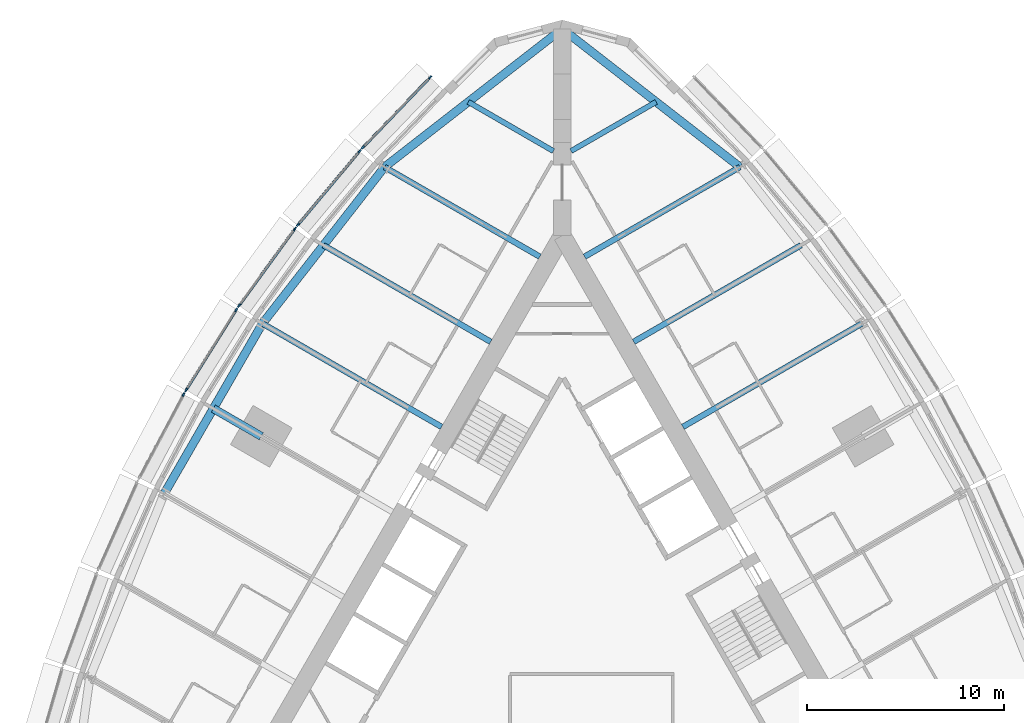
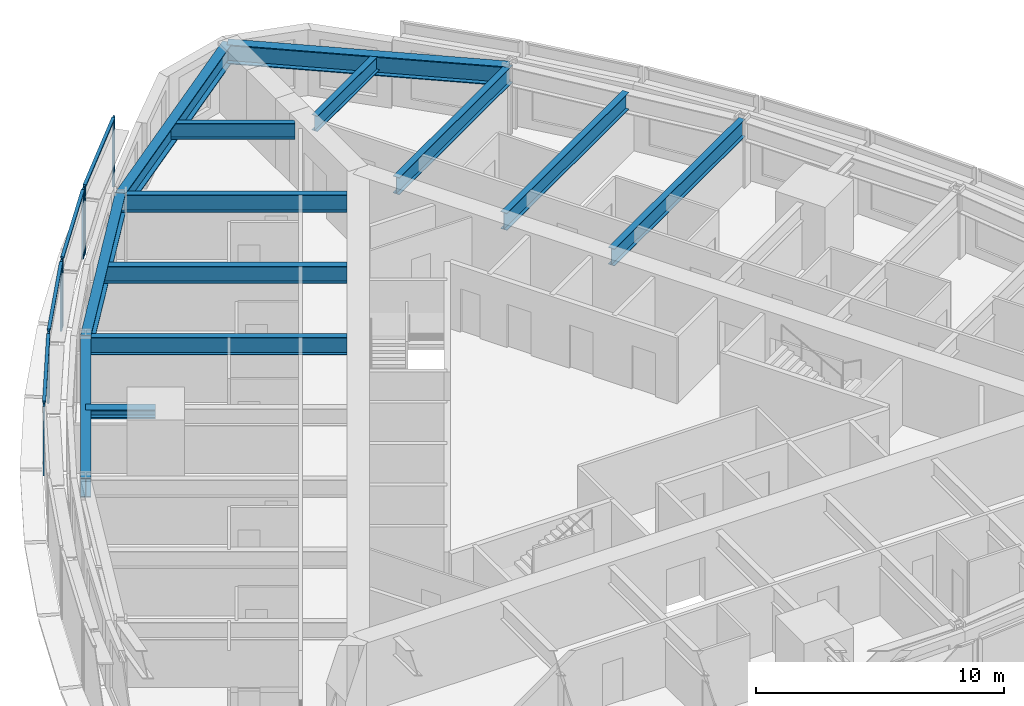
# One storey, part 4 of 14: 13 beams, 13 members, 5 elements without a shape of their own.
"""IFC4 building model written with IfcOpenShell, lengths in metres."""

from ifc_helpers import new_model, si_unit, direction, frame, origin, origin_2d, place, context, subcontext, project, spatial, rectangle, i_section, extrude, material, material_profile, profile_set, type_object, element, aggregate, save


model = new_model("IFC4")

# Units and contexts
model_context = context("Model", 3, precision=1e-05, world=origin(), true_north=direction((0.0, 1.0)))
body_context = subcontext(model_context, "Body", "Model", "MODEL_VIEW")
ifc_project = project(units=[si_unit("LENGTHUNIT", "METRE"), si_unit("AREAUNIT", "SQUARE_METRE"), si_unit("VOLUMEUNIT", "CUBIC_METRE"), si_unit("PLANEANGLEUNIT", "RADIAN"), si_unit("MASSUNIT", "GRAM", prefix="KILO")], contexts=[model_context])

# Site, building, storey
site_placement = place(None, origin())
site = spatial("IfcSite", under=ifc_project, at=site_placement, CompositionType="ELEMENT")
building_placement = place(site_placement, origin())
building = spatial("IfcBuilding", under=site, at=building_placement, Name="Trikona Tower", CompositionType="ELEMENT")
storey_placement = place(building_placement, frame((0.0, 0.0, 138.5)))
storey = spatial("IfcBuildingStorey", under=building, at=storey_placement, Name="L36", CompositionType="ELEMENT", Elevation=138.5)

# Curtain wall, members
ifc_material_1 = material(Name="Aluminium curtain wall system", Category="aluminium")
curtain_wall_type = type_object("IfcCurtainWallType", Name="Curtain wall DS2", PredefinedType="NOTDEFINED", material=ifc_material_1)
curtain_wall_1_placement = place(storey_placement, origin())
curtain_wall_1 = element("IfcCurtainWall", 1, at=curtain_wall_1_placement, inside=storey, type_object=curtain_wall_type, Name="Curtain wall DS2 L36", PredefinedType="NOTDEFINED")
ifc_material_2 = material(Name="Aluminium mullion, pale anodised", Category="aluminium")
ifc_material_profile_1 = material_profile(ifc_material_2, rectangle(XDim=0.080078125, YDim=0.199951171875, at=origin_2d()), Name="MUL-DS2")
ifc_profile_set_1 = profile_set([ifc_material_profile_1], Name="Aluminium mullion, pale anodised")
member_type_1 = type_object("IfcMemberType", Name="Mullion DS2 80x200", PredefinedType="MULLION", material=ifc_profile_set_1)
member_1_placement = place(storey_placement, frame((-6.718994140625, 27.1083984375, 0.0), z_axis=(0.0, 0.0, 1.0), x_axis=(0.722158330767, -0.691727797117, 0.0)))
member_1 = element("IfcMember", 2, at=member_1_placement, type_object=member_type_1, Name="CW-DS2 mullion 1", PredefinedType="MULLION", context=body_context, shape_type="SweptSolid", body=[
    extrude(rectangle(XDim=0.080078125, YDim=0.199951171875, at=origin_2d()), origin(), (0.0, 0.0, 1.0), 3.39990234375),
])
member_2_placement = place(storey_placement, frame((-10.1416015625, 23.535400390625, 0.0), z_axis=(0.0, 0.0, 1.0), x_axis=(0.722158330767, -0.691727797117, 0.0)))
member_2 = element("IfcMember", 3, at=member_2_placement, type_object=member_type_1, Name="CW-DS2 mullion 2", PredefinedType="MULLION", context=body_context, shape_type="SweptSolid", body=[
    extrude(rectangle(XDim=0.080078125, YDim=0.199951171875, at=origin_2d()), origin(), (0.0, 0.0, 1.0), 3.39990234375),
])

curtain_wall_2_placement = place(storey_placement, origin())
curtain_wall_2 = element("IfcCurtainWall", 4, at=curtain_wall_2_placement, inside=storey, type_object=curtain_wall_type, Name="Curtain wall DS2 L36", PredefinedType="NOTDEFINED")
member_3_placement = place(storey_placement, frame((-10.315185546875, 23.34130859375, 0.0), z_axis=(0.0, 0.0, 1.0), x_axis=(0.766866678271, -0.641806433248, 0.0)))
member_3 = element("IfcMember", 5, at=member_3_placement, type_object=member_type_1, Name="CW-DS2 mullion 1", PredefinedType="MULLION", context=body_context, shape_type="SweptSolid", body=[
    extrude(rectangle(XDim=0.080078125, YDim=0.199951171875, at=origin_2d()), origin(), (0.0, 0.0, 1.0), 3.39990234375),
])
member_4_placement = place(storey_placement, frame((-13.44482421875, 19.602294921875, 0.0), z_axis=(0.0, 0.0, 1.0), x_axis=(0.766866678271, -0.641806433248, 0.0)))
member_4 = element("IfcMember", 6, at=member_4_placement, type_object=member_type_1, Name="CW-DS2 mullion 2", PredefinedType="MULLION", context=body_context, shape_type="SweptSolid", body=[
    extrude(rectangle(XDim=0.080078125, YDim=0.199951171875, at=origin_2d()), origin(), (0.0, 0.0, 1.0), 3.39990234375),
])

curtain_wall_3_placement = place(storey_placement, origin())
curtain_wall_3 = element("IfcCurtainWall", 7, at=curtain_wall_3_placement, inside=storey, type_object=curtain_wall_type, Name="Curtain wall DS2 L36", PredefinedType="NOTDEFINED")
member_5_placement = place(storey_placement, frame((-13.605712890625, 19.39599609375, 0.0), z_axis=(0.0, 0.0, 1.0), x_axis=(0.80908576332, -0.587690588313, 0.0)))
member_5 = element("IfcMember", 8, at=member_5_placement, type_object=member_type_1, Name="CW-DS2 mullion 1", PredefinedType="MULLION", context=body_context, shape_type="SweptSolid", body=[
    extrude(rectangle(XDim=0.080078125, YDim=0.199951171875, at=origin_2d()), origin(), (0.0, 0.0, 1.0), 3.39990234375),
])
member_6_placement = place(storey_placement, frame((-16.442626953125, 15.489990234375, 0.0), z_axis=(0.0, 0.0, 1.0), x_axis=(0.80908576332, -0.587690588313, 0.0)))
member_6 = element("IfcMember", 9, at=member_6_placement, type_object=member_type_1, Name="CW-DS2 mullion 2", PredefinedType="MULLION", context=body_context, shape_type="SweptSolid", body=[
    extrude(rectangle(XDim=0.080078125, YDim=0.199951171875, at=origin_2d()), origin(), (0.0, 0.0, 1.0), 3.39990234375),
])

curtain_wall_4_placement = place(storey_placement, origin())
curtain_wall_4 = element("IfcCurtainWall", 10, at=curtain_wall_4_placement, inside=storey, type_object=curtain_wall_type, Name="Curtain wall DS2 L36", PredefinedType="NOTDEFINED")
member_7_placement = place(storey_placement, frame((-16.589599609375, 15.2724609375, 0.0), z_axis=(0.0, 0.0, 1.0), x_axis=(0.847998304006, -0.529998940002, 0.0)))
member_7 = element("IfcMember", 11, at=member_7_placement, type_object=member_type_1, Name="CW-DS2 mullion 1", PredefinedType="MULLION", context=body_context, shape_type="SweptSolid", body=[
    extrude(rectangle(XDim=0.080078125, YDim=0.199951171875, at=origin_2d()), origin(), (0.0, 0.0, 1.0), 3.39990234375),
])
member_8_placement = place(storey_placement, frame((-19.135009765625, 11.199462890625, 0.0), z_axis=(0.0, 0.0, 1.0), x_axis=(0.847998304006, -0.529998940002, 0.0)))
member_8 = element("IfcMember", 12, at=member_8_placement, type_object=member_type_1, Name="CW-DS2 mullion 2", PredefinedType="MULLION", context=body_context, shape_type="SweptSolid", body=[
    extrude(rectangle(XDim=0.080078125, YDim=0.199951171875, at=origin_2d()), origin(), (0.0, 0.0, 1.0), 3.39990234375),
])

# Curtain wall, member
curtain_wall_5_placement = place(storey_placement, origin())
curtain_wall_5 = element("IfcCurtainWall", 13, at=curtain_wall_5_placement, inside=storey, type_object=curtain_wall_type, Name="Curtain wall DS2 L36", PredefinedType="NOTDEFINED")
member_9_placement = place(storey_placement, frame((-19.2666015625, 10.9716796875, 0.0), z_axis=(0.0, 0.0, 1.0), x_axis=(0.882996107343, -0.469380308937, 0.0)))
member_9 = element("IfcMember", 14, at=member_9_placement, type_object=member_type_1, Name="CW-DS2 mullion 1", PredefinedType="MULLION", context=body_context, shape_type="SweptSolid", body=[
    extrude(rectangle(XDim=0.080078125, YDim=0.199951171875, at=origin_2d()), origin(), (0.0, 0.0, 1.0), 3.39990234375),
])
aggregate(curtain_wall_5, [member_9])

# Beams
ifc_material_3 = material(Name="Steel ASTM A992 Grade 50", Category="steel")
ifc_material_profile_2 = material_profile(ifc_material_3, i_section(OverallWidth=0.419189453125, OverallDepth=0.45458984375, WebThickness=0.042236328125, FlangeThickness=0.067626953125, at=origin_2d()), Name="W14X370")
ifc_profile_set_2 = profile_set([ifc_material_profile_2], Name="Steel ASTM A992 Grade 50")
beam_type_1 = type_object("IfcBeamType", Name="Steel beam W14x370 (apex bracket)", PredefinedType="BEAM", material=ifc_profile_set_2)
beam_1_placement = place(storey_placement, frame((-15.311767578125, 8.84033203125, 3.0078125), z_axis=(-0.86605005072, 0.499957307824, 0.0), x_axis=(-0.499957307824, -0.86605005072, 0.0)))
element("IfcBeam", 15, at=beam_1_placement, inside=storey, type_object=beam_type_1, Name="Cantilever bracket L37 F3", PredefinedType="BEAM", context=body_context, shape_type="SweptSolid", body=[
    extrude(i_section(OverallWidth=0.419189453125, OverallDepth=0.45458984375, WebThickness=0.042236328125, FlangeThickness=0.067626953125, at=origin_2d()), origin(), (0.0, 0.0, 1.0), 2.819580078125),
])
ifc_material_4 = material(Name="Steel ASTM A992 Grade 50", Category="steel")
ifc_material_profile_3 = material_profile(ifc_material_4, i_section(OverallWidth=0.2666015625, OverallDepth=0.76953125, WebThickness=0.015625, FlangeThickness=0.025390625, at=origin_2d()), Name="W30X132")
ifc_profile_set_3 = profile_set([ifc_material_profile_3], Name="Steel ASTM A992 Grade 50")
beam_type_2 = type_object("IfcBeamType", Name="Steel beam W30x132 (wedge)", PredefinedType="BEAM", material=ifc_profile_set_3)
for number, where, z_axis, x_axis, name in (
    (16, (0.449951171875, 23.353759765625, 2.85009765625), (0.866038434829, 0.49997742889, 0.0), (-0.49997742889, 0.866038434829, 0.0), "Floor beam L37 F2 u20"),
    (17, (-0.449951171875, 23.353759765625, 2.85009765625), (-0.866038434829, 0.49997742889, 0.0), (-0.49997742889, -0.866038434829, 0.0), "Floor beam L37 F3 u-20"),
):
    element("IfcBeam", number, at=place(storey_placement, frame(where, z_axis=z_axis, x_axis=x_axis)), inside=storey, type_object=beam_type_2, Name=name, PredefinedType="BEAM", context=body_context, shape_type="SweptSolid", body=[
        extrude(i_section(OverallWidth=0.2666015625, OverallDepth=0.76953125, WebThickness=0.015625, FlangeThickness=0.025390625, at=origin_2d()), origin(), (0.0, 0.0, 1.0), 5.000732421875),
    ])
ifc_material_5 = material(Name="Steel ASTM A992 Grade 50", Category="steel")
ifc_material_profile_4 = material_profile(ifc_material_5, i_section(OverallWidth=0.2919921875, OverallDepth=0.845703125, WebThickness=0.015380859375, FlangeThickness=0.0244140625, at=origin_2d()), Name="W33X141")
ifc_profile_set_4 = profile_set([ifc_material_profile_4], Name="Steel ASTM A992 Grade 50")
beam_type_3 = type_object("IfcBeamType", Name="Steel beam W33x141 (radial typ)", PredefinedType="BEAM", material=ifc_profile_set_4)
beam_2_placement = place(storey_placement, frame((6.1396484375, 9.318359375, 2.81201171875), z_axis=(0.866036080828, 0.499981506362, 0.0), x_axis=(-0.499981506362, 0.866036080828, 0.0)))
element("IfcBeam", 18, at=beam_2_placement, inside=storey, type_object=beam_type_3, Name="Floor beam L37 F2 u5", PredefinedType="BEAM", context=body_context, shape_type="SweptSolid", body=[
    extrude(i_section(OverallWidth=0.2919921875, OverallDepth=0.845703125, WebThickness=0.015380859375, FlangeThickness=0.0244140625, at=origin_2d()), origin(), (0.0, 0.0, 1.0), 10.52392578125),
])
beam_3_placement = place(storey_placement, frame((3.6396484375, 13.6484375, 2.81201171875), z_axis=(0.866030807744, 0.499990639951, 0.0), x_axis=(-0.499990639951, 0.866030807744, 0.0)))
element("IfcBeam", 19, at=beam_3_placement, inside=storey, type_object=beam_type_3, Name="Floor beam L37 F2 u10", PredefinedType="BEAM", context=body_context, shape_type="SweptSolid", body=[
    extrude(i_section(OverallWidth=0.2919921875, OverallDepth=0.845703125, WebThickness=0.015380859375, FlangeThickness=0.0244140625, at=origin_2d()), origin(), (0.0, 0.0, 1.0), 9.823974609375),
])
for number, where, z_axis, x_axis, name in (
    (20, (1.1396484375, 17.978515625, 2.81201171875), (0.866024725532, 0.500001174766, 0.0), (-0.500001174766, 0.866024725532, 0.0), "Floor beam L37 F2 u15"),
    (21, (-1.1396484375, 17.978515625, 2.81201171875), (-0.866024725532, 0.500001174766, 0.0), (-0.500001174766, -0.866024725532, 0.0), "Floor beam L37 F3 u-15"),
):
    element("IfcBeam", number, at=place(storey_placement, frame(where, z_axis=z_axis, x_axis=x_axis)), inside=storey, type_object=beam_type_3, Name=name, PredefinedType="BEAM", context=body_context, shape_type="SweptSolid", body=[
        extrude(i_section(OverallWidth=0.2919921875, OverallDepth=0.845703125, WebThickness=0.015380859375, FlangeThickness=0.0244140625, at=origin_2d()), origin(), (0.0, 0.0, 1.0), 9.1240234375),
    ])
beam_4_placement = place(storey_placement, frame((-3.6396484375, 13.6484375, 2.81201171875), z_axis=(-0.866030807744, 0.499990639951, 0.0), x_axis=(-0.499990639951, -0.866030807744, 0.0)))
element("IfcBeam", 22, at=beam_4_placement, inside=storey, type_object=beam_type_3, Name="Floor beam L37 F3 u-10", PredefinedType="BEAM", context=body_context, shape_type="SweptSolid", body=[
    extrude(i_section(OverallWidth=0.2919921875, OverallDepth=0.845703125, WebThickness=0.015380859375, FlangeThickness=0.0244140625, at=origin_2d()), origin(), (0.0, 0.0, 1.0), 9.823974609375),
])
beam_5_placement = place(storey_placement, frame((-6.1396484375, 9.318359375, 2.81201171875), z_axis=(-0.866036080828, 0.499981506362, 0.0), x_axis=(-0.499981506362, -0.866036080828, 0.0)))
element("IfcBeam", 23, at=beam_5_placement, inside=storey, type_object=beam_type_3, Name="Floor beam L37 F3 u-5", PredefinedType="BEAM", context=body_context, shape_type="SweptSolid", body=[
    extrude(i_section(OverallWidth=0.2919921875, OverallDepth=0.845703125, WebThickness=0.015380859375, FlangeThickness=0.0244140625, at=origin_2d()), origin(), (0.0, 0.0, 1.0), 10.52392578125),
])
ifc_material_6 = material(Name="Steel ASTM A992 Grade 50", Category="steel")
ifc_material_profile_5 = material_profile(ifc_material_6, i_section(OverallWidth=0.424072265625, OverallDepth=0.947509765625, WebThickness=0.02392578125, FlangeThickness=0.042724609375, at=origin_2d()), Name="W36X302")
ifc_profile_set_5 = profile_set([ifc_material_profile_5], Name="Steel ASTM A992 Grade 50")
beam_type_4 = type_object("IfcBeamType", Name="Steel beam W36x302 (spandrel)", PredefinedType="SPANDREL", material=ifc_profile_set_5)
for number, where, z_axis, x_axis, name in (
    (24, (9.041259765625, 22.54052734375, 2.76123046875), (-0.789367137808, 0.613921429621, 0.0), (-0.613921429621, -0.789367137808, 0.0), "Spandrel beam L37 F2-5"),
    (25, (0.0, 29.572265625, 2.76123046875), (-0.789367137808, -0.613921429621, 0.0), (0.613921429621, -0.789367137808, 0.0), "Spandrel beam L37 F3-1"),
):
    element("IfcBeam", number, at=place(storey_placement, frame(where, z_axis=z_axis, x_axis=x_axis)), inside=storey, type_object=beam_type_4, Name=name, PredefinedType="SPANDREL", context=body_context, shape_type="SweptSolid", body=[
        extrude(i_section(OverallWidth=0.424072265625, OverallDepth=0.947509765625, WebThickness=0.02392578125, FlangeThickness=0.042724609375, at=origin_2d()), origin(), (0.0, 0.0, 1.0), 11.453857421875),
    ])
beam_6_placement = place(storey_placement, frame((-9.041259765625, 22.54052734375, 2.76123046875), z_axis=(-0.615232009054, -0.788346101046, 0.0), x_axis=(0.788346101046, -0.615232009054, 0.0)))
element("IfcBeam", 26, at=beam_6_placement, inside=storey, type_object=beam_type_4, Name="Spandrel beam L37 F3-2", PredefinedType="SPANDREL", context=body_context, shape_type="SweptSolid", body=[
    extrude(i_section(OverallWidth=0.424072265625, OverallDepth=0.947509765625, WebThickness=0.02392578125, FlangeThickness=0.042724609375, at=origin_2d()), origin(), (0.0, 0.0, 1.0), 10.09765625),
])
beam_7_placement = place(storey_placement, frame((-15.253662109375, 14.580078125, 2.76123046875), z_axis=(-0.500004234368, -0.866022959057, 0.0), x_axis=(0.866022959057, -0.500004234368, 0.0)))
element("IfcBeam", 27, at=beam_7_placement, inside=storey, type_object=beam_type_4, Name="Spandrel beam L37 F3-3", PredefinedType="SPANDREL", context=body_context, shape_type="SweptSolid", body=[
    extrude(i_section(OverallWidth=0.424072265625, OverallDepth=0.947509765625, WebThickness=0.02392578125, FlangeThickness=0.042724609375, at=origin_2d()), origin(), (0.0, 0.0, 1.0), 10.0),
])

# Member
ifc_material_7 = material(Name="Aluminium transom, pale anodised", Category="aluminium")
ifc_material_profile_6 = material_profile(ifc_material_7, rectangle(XDim=0.139892578125, YDim=0.080078125, at=origin_2d()), Name="TRN-DS2")
ifc_profile_set_6 = profile_set([ifc_material_profile_6], Name="Aluminium transom, pale anodised")
member_type_2 = type_object("IfcMemberType", Name="Transom DS2 80x140", PredefinedType="USERDEFINED", material=ifc_profile_set_6)
member_10_placement = place(storey_placement, frame((-6.746826171875, 27.07958984375, 3.360107421875), z_axis=(-0.691721246785, -0.722164605022, 0.0), x_axis=(0.722164605022, -0.691721246785, 0.0)))
member_10 = element("IfcMember", 28, at=member_10_placement, type_object=member_type_2, Name="CW-DS2 transom 1.1", ObjectType="TRANSOM", PredefinedType="USERDEFINED", context=body_context, shape_type="SweptSolid", body=[
    extrude(rectangle(XDim=0.139892578125, YDim=0.080078125, at=origin_2d()), origin(), (0.0, 0.0, 1.0), 4.867919921875),
])

aggregate(curtain_wall_1, [member_1, member_2, member_10])

member_11_placement = place(storey_placement, frame((-10.341064453125, 23.310791015625, 3.360107421875), z_axis=(-0.641770294892, -0.766896921753, 0.0), x_axis=(0.766896921753, -0.641770294892, 0.0)))
member_11 = element("IfcMember", 29, at=member_11_placement, type_object=member_type_2, Name="CW-DS2 transom 1.1", ObjectType="TRANSOM", PredefinedType="USERDEFINED", context=body_context, shape_type="SweptSolid", body=[
    extrude(rectangle(XDim=0.139892578125, YDim=0.080078125, at=origin_2d()), origin(), (0.0, 0.0, 1.0), 4.7958984375),
])

aggregate(curtain_wall_2, [member_3, member_4, member_11])

member_12_placement = place(storey_placement, frame((-13.629150390625, 19.363525390625, 3.360107421875), z_axis=(-0.587694585883, -0.809082859616, 0.0), x_axis=(0.809082859616, -0.587694585883, 0.0)))
member_12 = element("IfcMember", 30, at=member_12_placement, type_object=member_type_2, Name="CW-DS2 transom 1.1", ObjectType="TRANSOM", PredefinedType="USERDEFINED", context=body_context, shape_type="SweptSolid", body=[
    extrude(rectangle(XDim=0.139892578125, YDim=0.080078125, at=origin_2d()), origin(), (0.0, 0.0, 1.0), 4.747314453125),
])

aggregate(curtain_wall_3, [member_5, member_6, member_12])

member_13_placement = place(storey_placement, frame((-16.610595703125, 15.238525390625, 3.360107421875), z_axis=(-0.530031463794, -0.847977975769, 0.0), x_axis=(0.847977975769, -0.530031463794, 0.0)))
member_13 = element("IfcMember", 31, at=member_13_placement, type_object=member_type_2, Name="CW-DS2 transom 1.1", ObjectType="TRANSOM", PredefinedType="USERDEFINED", context=body_context, shape_type="SweptSolid", body=[
    extrude(rectangle(XDim=0.139892578125, YDim=0.080078125, at=origin_2d()), origin(), (0.0, 0.0, 1.0), 4.72314453125),
])

aggregate(curtain_wall_4, [member_7, member_8, member_13])

save(model, "model.ifc")
